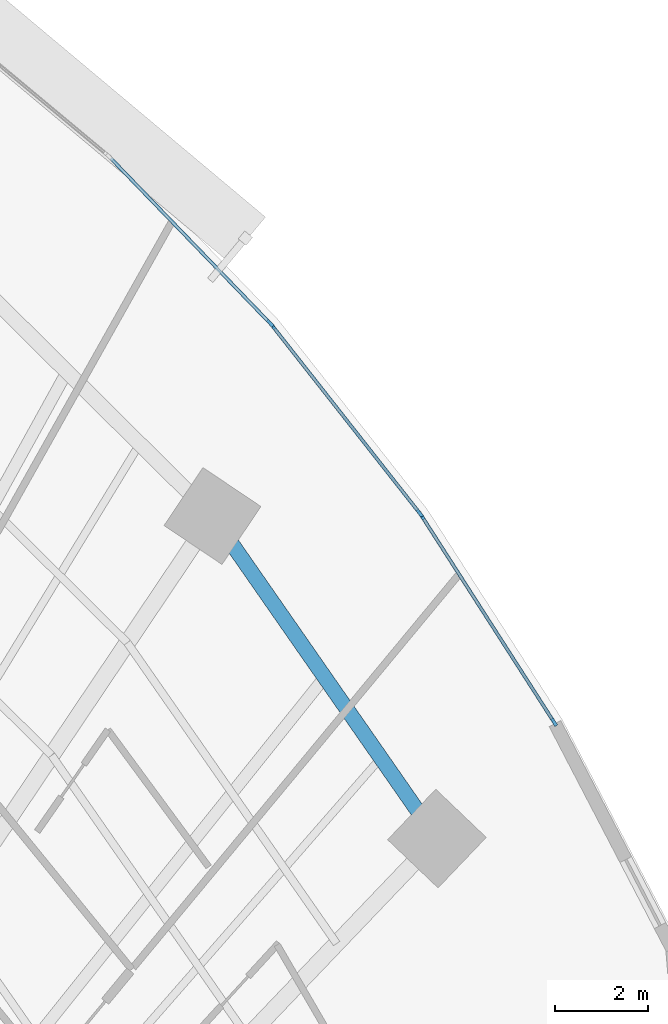
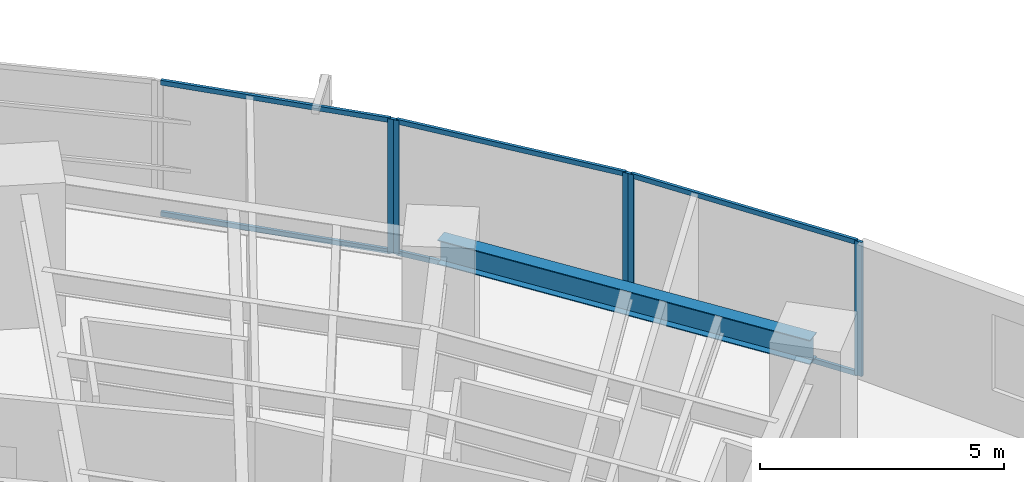
# One storey, part 8 of 17: 11 members, 1 beam, 3 elements without a shape of their own.
"""IFC4 building model written with IfcOpenShell, lengths in metres."""

from ifc_helpers import new_model, si_unit, direction, frame, origin, origin_2d, place, context, subcontext, project, spatial, rectangle, i_section, extrude, source, transform, mapped, material, layer, layer_set, material_profile, profile_set, type_object, element, aggregate, save


model = new_model("IFC4")

# Units and contexts
model_context = context("Model", 3, precision=1e-05, world=origin(), true_north=direction((0.0, 1.0)))
body_context = subcontext(model_context, "Body", "Model", "MODEL_VIEW")
ifc_project = project(units=[si_unit("LENGTHUNIT", "METRE"), si_unit("AREAUNIT", "SQUARE_METRE"), si_unit("VOLUMEUNIT", "CUBIC_METRE"), si_unit("PLANEANGLEUNIT", "RADIAN"), si_unit("MASSUNIT", "GRAM", prefix="KILO")], contexts=[model_context])

# Site, building, storey
site_placement = place(None, origin())
site = spatial("IfcSite", under=ifc_project, at=site_placement, CompositionType="ELEMENT")
building_placement = place(site_placement, origin())
building = spatial("IfcBuilding", under=site, at=building_placement, Name="Breltana Convention Tower", CompositionType="ELEMENT")
storey_placement = place(building_placement, frame((0.0, 0.0, 49.800048828125)))
storey = spatial("IfcBuildingStorey", under=building, at=storey_placement, Name="L10", CompositionType="ELEMENT", Elevation=49.800048828125)

# Beam
ifc_material_1 = material(Name="Steel ASTM A992 Grade 50", Category="steel")
ifc_material_profile_1 = material_profile(ifc_material_1, i_section(OverallWidth=0.323974609375, OverallDepth=0.611083984375, WebThickness=0.0126953125, FlangeThickness=0.01904296875, at=origin_2d()), Name="W24X104")
ifc_profile_set_1 = profile_set([ifc_material_profile_1], Name="Steel ASTM A992 Grade 50")
beam_type = type_object("IfcBeamType", Name="BM-SP-W24X104", PredefinedType="SPANDREL", material=ifc_profile_set_1)
shared_shape_1 = source(origin(), body_context, "Body", "SweptSolid", [
    extrude(i_section(OverallWidth=0.323974609375, OverallDepth=0.611083984375, WebThickness=0.0126953125, FlangeThickness=0.01904296875, at=origin_2d()), origin(), (0.0, 0.0, 1.0), 8.44970703125),
])
beam_placement = place(storey_placement, frame((75.166748046875, 62.43017578125, 3.054443359375), z_axis=(0.5711855381, -0.820820979913, 0.0), x_axis=(0.820820979913, 0.5711855381, 0.0)))
element("IfcBeam", 1, at=beam_placement, inside=storey, type_object=beam_type, Name="L10 Outer Spandrel Beam 10", PredefinedType="SPANDREL", context=body_context, shape_type="MappedRepresentation", body=[
    mapped(shared_shape_1, transform((0.0, 0.0, 0.0), scale=1.0)),
])

# Curtain wall, members
ifc_material_2 = material(Name="Aluminium Anodised Bronze Frame", Category="aluminium")
ifc_layer = layer(ifc_material_2, 0.199951171875, Name="Aluminium Anodised Bronze Frame")
ifc_layer_set = layer_set([ifc_layer], Name="Aluminium Anodised Bronze Frame")
curtain_wall_type = type_object("IfcCurtainWallType", Name="CW-SYS-2", PredefinedType="NOTDEFINED", material=ifc_layer_set)
curtain_wall_1_placement = place(storey_placement, origin())
curtain_wall_1 = element("IfcCurtainWall", 2, at=curtain_wall_1_placement, inside=storey, type_object=curtain_wall_type, Name="L10 outer double-skin inner glazing 17", PredefinedType="NOTDEFINED")
ifc_material_3 = material(Name="Aluminium Anodised Bronze", Category="aluminium")
ifc_material_profile_2 = material_profile(ifc_material_3, rectangle(XDim=0.070068359375, YDim=0.1201171875, at=origin_2d()), Name="CWT-70X120")
ifc_profile_set_2 = profile_set([ifc_material_profile_2], Name="Aluminium Anodised Bronze")
member_type_1 = type_object("IfcMemberType", Name="CWT-120", PredefinedType="USERDEFINED", material=ifc_profile_set_2)
shared_shape_2 = source(origin(), body_context, "Body", "SweptSolid", [
    extrude(rectangle(XDim=0.070068359375, YDim=0.1201171875, at=origin_2d()), origin(), (0.0, 0.0, 1.0), 5.0546875),
])
member_1_placement = place(storey_placement, frame((76.4765625, 66.491455078125, 0.034912109375), z_axis=(0.618135067667, -0.786071903913, 0.0), x_axis=(0.786071903913, 0.618135067667, 0.0)))
member_1 = element("IfcMember", 3, at=member_1_placement, type_object=member_type_1, Name="CW-02 transom 1.1", ObjectType="TRANSOM", PredefinedType="USERDEFINED", context=body_context, shape_type="MappedRepresentation", body=[
    mapped(shared_shape_2, transform((0.0, 0.0, 0.0), scale=1.0)),
])
member_2_placement = place(storey_placement, frame((76.4765625, 66.491455078125, 3.324951171875), z_axis=(0.618135067667, -0.786071903913, 0.0), x_axis=(0.786071903913, 0.618135067667, 0.0)))
member_2 = element("IfcMember", 4, at=member_2_placement, type_object=member_type_1, Name="CW-02 transom 1.2", ObjectType="TRANSOM", PredefinedType="USERDEFINED", context=body_context, shape_type="MappedRepresentation", body=[
    mapped(shared_shape_2, transform((0.0, 0.0, 0.0), scale=1.0)),
])

curtain_wall_2_placement = place(storey_placement, origin())
curtain_wall_2 = element("IfcCurtainWall", 5, at=curtain_wall_2_placement, inside=storey, type_object=curtain_wall_type, Name="L10 outer double-skin inner glazing 16", PredefinedType="NOTDEFINED")
shared_shape_3 = source(origin(), body_context, "Body", "SweptSolid", [
    extrude(rectangle(XDim=0.070068359375, YDim=0.1201171875, at=origin_2d()), origin(), (0.0, 0.0, 1.0), 4.901123046875),
])
member_3_placement = place(storey_placement, frame((72.980224609375, 70.12255859375, 0.034912109375), z_axis=(0.6945945137, -0.719401460617, 0.0), x_axis=(0.719401460617, 0.6945945137, 0.0)))
member_3 = element("IfcMember", 6, at=member_3_placement, type_object=member_type_1, Name="CW-02 transom 1.1", ObjectType="TRANSOM", PredefinedType="USERDEFINED", context=body_context, shape_type="MappedRepresentation", body=[
    mapped(shared_shape_3, transform((0.0, 0.0, 0.0), scale=1.0)),
])
member_4_placement = place(storey_placement, frame((72.980224609375, 70.12255859375, 3.324951171875), z_axis=(0.6945945137, -0.719401460617, 0.0), x_axis=(0.719401460617, 0.6945945137, 0.0)))
member_4 = element("IfcMember", 7, at=member_4_placement, type_object=member_type_1, Name="CW-02 transom 1.2", ObjectType="TRANSOM", PredefinedType="USERDEFINED", context=body_context, shape_type="MappedRepresentation", body=[
    mapped(shared_shape_3, transform((0.0, 0.0, 0.0), scale=1.0)),
])

curtain_wall_3_placement = place(storey_placement, origin())
curtain_wall_3 = element("IfcCurtainWall", 8, at=curtain_wall_3_placement, inside=storey, type_object=curtain_wall_type, Name="L10 outer double-skin inner glazing 18", PredefinedType="NOTDEFINED")
shared_shape_4 = source(origin(), body_context, "Body", "SweptSolid", [
    extrude(rectangle(XDim=0.070068359375, YDim=0.1201171875, at=origin_2d()), origin(), (0.0, 0.0, 1.0), 5.205810546875),
])
member_5_placement = place(storey_placement, frame((79.68212890625, 62.404296875, 0.034912109375), z_axis=(0.540179102764, -0.841550079875, 0.0), x_axis=(0.841550079875, 0.540179102764, 0.0)))
member_5 = element("IfcMember", 9, at=member_5_placement, type_object=member_type_1, Name="CW-02 transom 1.1", ObjectType="TRANSOM", PredefinedType="USERDEFINED", context=body_context, shape_type="MappedRepresentation", body=[
    mapped(shared_shape_4, transform((0.0, 0.0, 0.0), scale=1.0)),
])
member_6_placement = place(storey_placement, frame((79.68212890625, 62.404296875, 3.324951171875), z_axis=(0.540179102764, -0.841550079875, 0.0), x_axis=(0.841550079875, 0.540179102764, 0.0)))
member_6 = element("IfcMember", 10, at=member_6_placement, type_object=member_type_1, Name="CW-02 transom 1.2", ObjectType="TRANSOM", PredefinedType="USERDEFINED", context=body_context, shape_type="MappedRepresentation", body=[
    mapped(shared_shape_4, transform((0.0, 0.0, 0.0), scale=1.0)),
])

# Member
ifc_material_profile_3 = material_profile(ifc_material_3, rectangle(XDim=0.070068359375, YDim=0.175048828125, at=origin_2d()), Name="CWM-70X175")
ifc_profile_set_3 = profile_set([ifc_material_profile_3], Name="Aluminium Anodised Bronze")
member_type_2 = type_object("IfcMemberType", Name="CWM-175", PredefinedType="MULLION", material=ifc_profile_set_3)
shared_shape_5 = source(origin(), body_context, "Body", "SweptSolid", [
    extrude(rectangle(XDim=0.070068359375, YDim=0.175048828125, at=origin_2d()), origin(), (0.0, 0.0, 1.0), 3.35986328125),
])
member_7_placement = place(storey_placement, frame((76.408935546875, 66.571533203125, 0.0), z_axis=(0.0, 0.0, 1.0), x_axis=(0.719386421003, 0.694610090106, 0.0)))
member_7 = element("IfcMember", 11, at=member_7_placement, type_object=member_type_2, Name="CW-02 mullion 2", PredefinedType="MULLION", context=body_context, shape_type="MappedRepresentation", body=[
    mapped(shared_shape_5, transform((0.0, 0.0, 0.0), scale=1.0)),
])

aggregate(curtain_wall_2, [member_7, member_3, member_4])

member_8_placement = place(storey_placement, frame((76.454833984375, 66.518798828125, 0.0), z_axis=(0.0, 0.0, 1.0), x_axis=(0.786057080698, 0.618153917633, 0.0)))
member_8 = element("IfcMember", 12, at=member_8_placement, type_object=member_type_2, Name="CW-02 mullion 1", PredefinedType="MULLION", context=body_context, shape_type="MappedRepresentation", body=[
    mapped(shared_shape_5, transform((0.0, 0.0, 0.0), scale=1.0)),
])

member_9_placement = place(storey_placement, frame((79.62255859375, 62.49072265625, 0.0), z_axis=(0.0, 0.0, 1.0), x_axis=(0.786057080698, 0.618153917633, 0.0)))
member_9 = element("IfcMember", 13, at=member_9_placement, type_object=member_type_2, Name="CW-02 mullion 2", PredefinedType="MULLION", context=body_context, shape_type="MappedRepresentation", body=[
    mapped(shared_shape_5, transform((0.0, 0.0, 0.0), scale=1.0)),
])

aggregate(curtain_wall_1, [member_8, member_9, member_1, member_2])

member_10_placement = place(storey_placement, frame((79.6630859375, 62.43359375, 0.0), z_axis=(0.0, 0.0, 1.0), x_axis=(0.841549039154, 0.540180724109, 0.0)))
member_10 = element("IfcMember", 14, at=member_10_placement, type_object=member_type_2, Name="CW-02 mullion 1", PredefinedType="MULLION", context=body_context, shape_type="MappedRepresentation", body=[
    mapped(shared_shape_5, transform((0.0, 0.0, 0.0), scale=1.0)),
])

member_11_placement = place(storey_placement, frame((82.512939453125, 57.993896484375, 0.0), z_axis=(0.0, 0.0, 1.0), x_axis=(0.841549039154, 0.540180724109, 0.0)))
member_11 = element("IfcMember", 15, at=member_11_placement, type_object=member_type_2, Name="CW-02 mullion 2", PredefinedType="MULLION", context=body_context, shape_type="MappedRepresentation", body=[
    mapped(shared_shape_5, transform((0.0, 0.0, 0.0), scale=1.0)),
])

aggregate(curtain_wall_3, [member_10, member_11, member_5, member_6])

save(model, "model.ifc")
